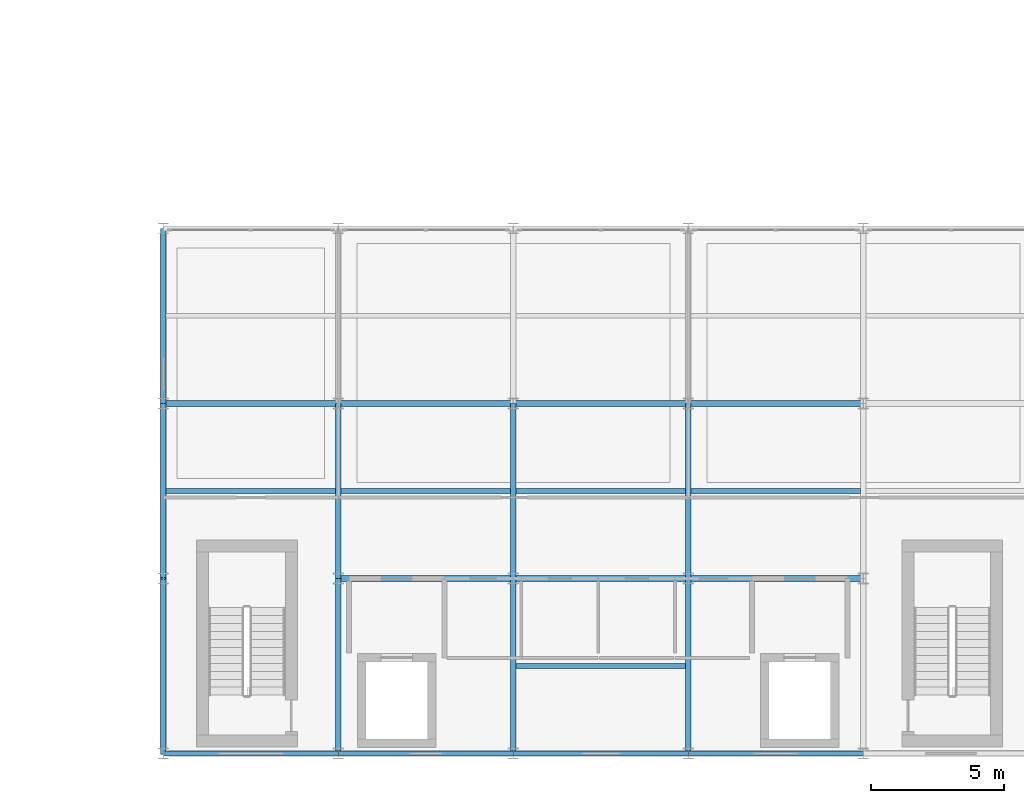
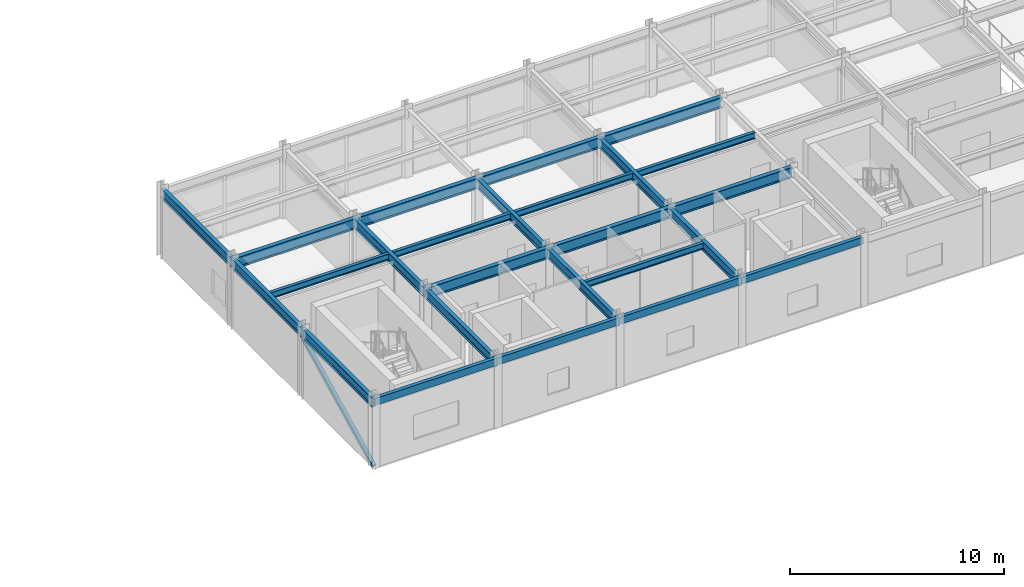
# One storey, part 54 of 147: 25 beams, 1 member.
"""IFC4 building model written with IfcOpenShell, lengths in metres."""

from ifc_helpers import new_model, si_unit, direction, frame, origin, origin_2d, place, context, subcontext, project, spatial, hollow_rectangle, i_section, extrude, material, material_profile, profile_set, type_object, element, save


model = new_model("IFC4")

# Units and contexts
model_context = context("Model", 3, precision=1e-05, world=origin(), true_north=direction((0.0, 1.0)))
body_context = subcontext(model_context, "Body", "Model", "MODEL_VIEW")
ifc_project = project(units=[si_unit("LENGTHUNIT", "METRE"), si_unit("AREAUNIT", "SQUARE_METRE"), si_unit("VOLUMEUNIT", "CUBIC_METRE"), si_unit("PLANEANGLEUNIT", "RADIAN"), si_unit("MASSUNIT", "GRAM", prefix="KILO")], contexts=[model_context])

# Site, building, storey
site_placement = place(None, origin())
site = spatial("IfcSite", under=ifc_project, at=site_placement, CompositionType="ELEMENT")
building_placement = place(site_placement, origin())
building = spatial("IfcBuilding", under=site, at=building_placement, Name="Karori Crest Natural Sciences Institute", CompositionType="ELEMENT")
storey_placement = place(building_placement, frame((0.0, 0.0, 9.10009765625)))
storey = spatial("IfcBuildingStorey", under=building, at=storey_placement, Name="L02", CompositionType="ELEMENT", Elevation=9.10009765625)

# Beams
ifc_material_1 = material(Name="Structural steel AS/NZS 3679.1 Grade 350", Category="steel")
ifc_material_profile_1 = material_profile(ifc_material_1, i_section(OverallWidth=0.22900390625, OverallDepth=0.612060546875, WebThickness=0.011962890625, FlangeThickness=0.01953125, FilletRadius=0.013916015625, at=origin_2d()), Name="610UB125")
ifc_profile_set_1 = profile_set([ifc_material_profile_1], Name="Structural steel AS/NZS 3679.1 Grade 350")
beam_type_1 = type_object("IfcBeamType", Name="BT-04", PredefinedType="BEAM", material=ifc_profile_set_1)
beam_1_placement = place(storey_placement, frame((110.199951171875, 7.39990234375, 3.614013671875), z_axis=(1.0, 0.0, 0.0), x_axis=(0.0, 1.0, 0.0)))
element("IfcBeam", 1, at=beam_1_placement, inside=storey, type_object=beam_type_1, Name="Beam B-2204", PredefinedType="BEAM", context=body_context, shape_type="SweptSolid", body=[
    extrude(i_section(OverallWidth=0.22900390625, OverallDepth=0.612060546875, WebThickness=0.011962890625, FlangeThickness=0.01953125, FilletRadius=0.013916015625, at=origin_2d()), origin(), (0.0, 0.0, 1.0), 6.60009765625),
])
beam_2_placement = place(storey_placement, frame((116.800048828125, 7.39990234375, 3.614013671875), z_axis=(1.0, 0.0, 0.0), x_axis=(0.0, 1.0, 0.0)))
element("IfcBeam", 2, at=beam_2_placement, inside=storey, type_object=beam_type_1, Name="Beam B-2205", PredefinedType="BEAM", context=body_context, shape_type="SweptSolid", body=[
    extrude(i_section(OverallWidth=0.22900390625, OverallDepth=0.612060546875, WebThickness=0.011962890625, FlangeThickness=0.01953125, FilletRadius=0.013916015625, at=origin_2d()), origin(), (0.0, 0.0, 1.0), 6.599853515625),
])
beam_3_placement = place(storey_placement, frame((123.39990234375, 7.39990234375, 3.614013671875), z_axis=(1.0, 0.0, 0.0), x_axis=(0.0, 1.0, 0.0)))
element("IfcBeam", 3, at=beam_3_placement, inside=storey, type_object=beam_type_1, Name="Beam B-2206", PredefinedType="BEAM", context=body_context, shape_type="SweptSolid", body=[
    extrude(i_section(OverallWidth=0.22900390625, OverallDepth=0.612060546875, WebThickness=0.011962890625, FlangeThickness=0.01953125, FilletRadius=0.013916015625, at=origin_2d()), origin(), (0.0, 0.0, 1.0), 6.60009765625),
])
beam_4_placement = place(storey_placement, frame((103.60009765625, 14.0, 3.614013671875), z_axis=(1.0, 0.0, 0.0), x_axis=(0.0, 1.0, 0.0)))
element("IfcBeam", 4, at=beam_4_placement, inside=storey, type_object=beam_type_1, Name="Beam B-2211", PredefinedType="BEAM", context=body_context, shape_type="SweptSolid", body=[
    extrude(i_section(OverallWidth=0.22900390625, OverallDepth=0.612060546875, WebThickness=0.011962890625, FlangeThickness=0.01953125, FilletRadius=0.013916015625, at=origin_2d()), origin(), (0.0, 0.0, 1.0), 6.599853515625),
])
beam_5_placement = place(storey_placement, frame((110.199951171875, 14.0, 3.614013671875), z_axis=(1.0, 0.0, 0.0), x_axis=(0.0, 1.0, 0.0)))
element("IfcBeam", 5, at=beam_5_placement, inside=storey, type_object=beam_type_1, Name="Beam B-2212", PredefinedType="BEAM", context=body_context, shape_type="SweptSolid", body=[
    extrude(i_section(OverallWidth=0.22900390625, OverallDepth=0.612060546875, WebThickness=0.011962890625, FlangeThickness=0.01953125, FilletRadius=0.013916015625, at=origin_2d()), origin(), (0.0, 0.0, 1.0), 6.60009765625),
])
beam_6_placement = place(storey_placement, frame((116.800048828125, 14.0, 3.614013671875), z_axis=(1.0, 0.0, 0.0), x_axis=(0.0, 1.0, 0.0)))
element("IfcBeam", 6, at=beam_6_placement, inside=storey, type_object=beam_type_1, Name="Beam B-2213", PredefinedType="BEAM", context=body_context, shape_type="SweptSolid", body=[
    extrude(i_section(OverallWidth=0.22900390625, OverallDepth=0.612060546875, WebThickness=0.011962890625, FlangeThickness=0.01953125, FilletRadius=0.013916015625, at=origin_2d()), origin(), (0.0, 0.0, 1.0), 6.599853515625),
])
beam_7_placement = place(storey_placement, frame((123.39990234375, 14.0, 3.614013671875), z_axis=(1.0, 0.0, 0.0), x_axis=(0.0, 1.0, 0.0)))
element("IfcBeam", 7, at=beam_7_placement, inside=storey, type_object=beam_type_1, Name="Beam B-2214", PredefinedType="BEAM", context=body_context, shape_type="SweptSolid", body=[
    extrude(i_section(OverallWidth=0.22900390625, OverallDepth=0.612060546875, WebThickness=0.011962890625, FlangeThickness=0.01953125, FilletRadius=0.013916015625, at=origin_2d()), origin(), (0.0, 0.0, 1.0), 6.60009765625),
])
ifc_material_profile_2 = material_profile(ifc_material_1, i_section(OverallWidth=0.208984375, OverallDepth=0.532958984375, WebThickness=0.01025390625, FlangeThickness=0.015625, FilletRadius=0.013916015625, at=origin_2d()), Name="530UB92.4")
ifc_profile_set_2 = profile_set([ifc_material_profile_2], Name="Structural steel AS/NZS 3679.1 Grade 350")
beam_type_2 = type_object("IfcBeamType", Name="BT-05", PredefinedType="BEAM", material=ifc_profile_set_2)
beam_8_placement = place(storey_placement, frame((110.199951171875, 0.800048828125, 3.6533203125), z_axis=(0.0, 1.0, 0.0), x_axis=(-1.0, 0.0, 0.0)))
element("IfcBeam", 8, at=beam_8_placement, inside=storey, type_object=beam_type_2, Name="Beam B-2232", PredefinedType="BEAM", context=body_context, shape_type="SweptSolid", body=[
    extrude(i_section(OverallWidth=0.208984375, OverallDepth=0.532958984375, WebThickness=0.01025390625, FlangeThickness=0.015625, FilletRadius=0.013916015625, at=origin_2d()), origin(), (0.0, 0.0, 1.0), 6.599853515625),
])
beam_9_placement = place(storey_placement, frame((110.199951171875, 7.39990234375, 3.6533203125), z_axis=(0.0, 1.0, 0.0), x_axis=(-1.0, 0.0, 0.0)))
element("IfcBeam", 9, at=beam_9_placement, inside=storey, type_object=beam_type_2, Name="Beam B-2233", PredefinedType="BEAM", context=body_context, shape_type="SweptSolid", body=[
    extrude(i_section(OverallWidth=0.208984375, OverallDepth=0.532958984375, WebThickness=0.01025390625, FlangeThickness=0.015625, FilletRadius=0.013916015625, at=origin_2d()), origin(), (0.0, 0.0, 1.0), 6.60009765625),
])
beam_10_placement = place(storey_placement, frame((116.800048828125, 0.800048828125, 3.6533203125), z_axis=(0.0, 1.0, 0.0), x_axis=(-1.0, 0.0, 0.0)))
element("IfcBeam", 10, at=beam_10_placement, inside=storey, type_object=beam_type_2, Name="Beam B-2235", PredefinedType="BEAM", context=body_context, shape_type="SweptSolid", body=[
    extrude(i_section(OverallWidth=0.208984375, OverallDepth=0.532958984375, WebThickness=0.01025390625, FlangeThickness=0.015625, FilletRadius=0.013916015625, at=origin_2d()), origin(), (0.0, 0.0, 1.0), 6.599853515625),
])
beam_11_placement = place(storey_placement, frame((116.800048828125, 7.39990234375, 3.6533203125), z_axis=(0.0, 1.0, 0.0), x_axis=(-1.0, 0.0, 0.0)))
element("IfcBeam", 11, at=beam_11_placement, inside=storey, type_object=beam_type_2, Name="Beam B-2236", PredefinedType="BEAM", context=body_context, shape_type="SweptSolid", body=[
    extrude(i_section(OverallWidth=0.208984375, OverallDepth=0.532958984375, WebThickness=0.01025390625, FlangeThickness=0.015625, FilletRadius=0.013916015625, at=origin_2d()), origin(), (0.0, 0.0, 1.0), 6.60009765625),
])
beam_12_placement = place(storey_placement, frame((123.39990234375, 0.800048828125, 3.6533203125), z_axis=(0.0, 1.0, 0.0), x_axis=(-1.0, 0.0, 0.0)))
element("IfcBeam", 12, at=beam_12_placement, inside=storey, type_object=beam_type_2, Name="Beam B-2238", PredefinedType="BEAM", context=body_context, shape_type="SweptSolid", body=[
    extrude(i_section(OverallWidth=0.208984375, OverallDepth=0.532958984375, WebThickness=0.01025390625, FlangeThickness=0.015625, FilletRadius=0.013916015625, at=origin_2d()), origin(), (0.0, 0.0, 1.0), 6.599853515625),
])
beam_13_placement = place(storey_placement, frame((123.39990234375, 7.39990234375, 3.6533203125), z_axis=(0.0, 1.0, 0.0), x_axis=(-1.0, 0.0, 0.0)))
element("IfcBeam", 13, at=beam_13_placement, inside=storey, type_object=beam_type_2, Name="Beam B-2239", PredefinedType="BEAM", context=body_context, shape_type="SweptSolid", body=[
    extrude(i_section(OverallWidth=0.208984375, OverallDepth=0.532958984375, WebThickness=0.01025390625, FlangeThickness=0.015625, FilletRadius=0.013916015625, at=origin_2d()), origin(), (0.0, 0.0, 1.0), 6.60009765625),
])
ifc_material_profile_3 = material_profile(ifc_material_1, i_section(OverallWidth=0.208984375, OverallDepth=0.532958984375, WebThickness=0.01025390625, FlangeThickness=0.015625, FilletRadius=0.013916015625, at=origin_2d()), Name="530UB92.4")
ifc_profile_set_3 = profile_set([ifc_material_profile_3], Name="Structural steel AS/NZS 3679.1 Grade 350")
beam_type_3 = type_object("IfcBeamType", Name="BT-05-EL", PredefinedType="BEAM", material=ifc_profile_set_3)
beam_14_placement = place(storey_placement, frame((103.60009765625, 0.800048828125, 3.6533203125), z_axis=(0.0, 1.0, 0.0), x_axis=(-1.0, 0.0, 0.0)))
element("IfcBeam", 14, at=beam_14_placement, inside=storey, type_object=beam_type_3, Name="Beam B-2229", PredefinedType="BEAM", context=body_context, shape_type="SweptSolid", body=[
    extrude(i_section(OverallWidth=0.208984375, OverallDepth=0.532958984375, WebThickness=0.01025390625, FlangeThickness=0.015625, FilletRadius=0.013916015625, at=origin_2d()), origin(), (0.0, 0.0, 1.0), 6.599853515625),
])
for number, where, z_axis, x_axis, name in (
    (15, (103.60009765625, 7.39990234375, 3.6533203125), (0.0, 1.0, 0.0), (-1.0, 0.0, 0.0), "Beam B-2230"),
    (16, (103.60009765625, 14.0, 3.6533203125), (0.0, 1.0, 0.0), (-1.0, 0.0, 0.0), "Beam B-2231"),
):
    element("IfcBeam", number, at=place(storey_placement, frame(where, z_axis=z_axis, x_axis=x_axis)), inside=storey, type_object=beam_type_3, Name=name, PredefinedType="BEAM", context=body_context, shape_type="SweptSolid", body=[
        extrude(i_section(OverallWidth=0.208984375, OverallDepth=0.532958984375, WebThickness=0.01025390625, FlangeThickness=0.015625, FilletRadius=0.013916015625, at=origin_2d()), origin(), (0.0, 0.0, 1.0), 6.60009765625),
    ])
ifc_material_profile_4 = material_profile(ifc_material_1, i_section(OverallWidth=0.172119140625, OverallDepth=0.35888671875, WebThickness=0.008056640625, FlangeThickness=0.012939453125, FilletRadius=0.010986328125, at=origin_2d()), Name="360UB56.7")
ifc_profile_set_4 = profile_set([ifc_material_profile_4], Name="Structural steel AS/NZS 3679.1 Grade 350")
beam_type_4 = type_object("IfcBeamType", Name="BT-08", PredefinedType="BEAM", material=ifc_profile_set_4)
beam_15_placement = place(storey_placement, frame((103.70458984375, 10.699951171875, 3.740478515625), z_axis=(1.0, 0.0, 0.0), x_axis=(0.0, 1.0, 0.0)))
element("IfcBeam", 17, at=beam_15_placement, inside=storey, type_object=beam_type_4, Name="Beam B-2259", PredefinedType="BEAM", context=body_context, shape_type="SweptSolid", body=[
    extrude(i_section(OverallWidth=0.172119140625, OverallDepth=0.35888671875, WebThickness=0.008056640625, FlangeThickness=0.012939453125, FilletRadius=0.010986328125, at=origin_2d()), origin(), (0.0, 0.0, 1.0), 6.390869140625),
])
beam_16_placement = place(storey_placement, frame((110.304443359375, 10.699951171875, 3.740478515625), z_axis=(1.0, 0.0, 0.0), x_axis=(0.0, 1.0, 0.0)))
element("IfcBeam", 18, at=beam_16_placement, inside=storey, type_object=beam_type_4, Name="Beam B-2261", PredefinedType="BEAM", context=body_context, shape_type="SweptSolid", body=[
    extrude(i_section(OverallWidth=0.172119140625, OverallDepth=0.35888671875, WebThickness=0.008056640625, FlangeThickness=0.012939453125, FilletRadius=0.010986328125, at=origin_2d()), origin(), (0.0, 0.0, 1.0), 6.39111328125),
])
for number, where, z_axis, x_axis, name in (
    (19, (116.904541015625, 4.10009765625, 3.740478515625), (1.0, 0.0, 0.0), (0.0, 1.0, 0.0), "Beam B-2263"),
    (20, (116.904541015625, 10.699951171875, 3.740478515625), (1.0, 0.0, 0.0), (0.0, 1.0, 0.0), "Beam B-2264"),
):
    element("IfcBeam", number, at=place(storey_placement, frame(where, z_axis=z_axis, x_axis=x_axis)), inside=storey, type_object=beam_type_4, Name=name, PredefinedType="BEAM", context=body_context, shape_type="SweptSolid", body=[
        extrude(i_section(OverallWidth=0.172119140625, OverallDepth=0.35888671875, WebThickness=0.008056640625, FlangeThickness=0.012939453125, FilletRadius=0.010986328125, at=origin_2d()), origin(), (0.0, 0.0, 1.0), 6.390869140625),
    ])
beam_17_placement = place(storey_placement, frame((123.50439453125, 10.699951171875, 3.740478515625), z_axis=(1.0, 0.0, 0.0), x_axis=(0.0, 1.0, 0.0)))
element("IfcBeam", 21, at=beam_17_placement, inside=storey, type_object=beam_type_4, Name="Beam B-2266", PredefinedType="BEAM", context=body_context, shape_type="SweptSolid", body=[
    extrude(i_section(OverallWidth=0.172119140625, OverallDepth=0.35888671875, WebThickness=0.008056640625, FlangeThickness=0.012939453125, FilletRadius=0.010986328125, at=origin_2d()), origin(), (0.0, 0.0, 1.0), 6.39111328125),
])
ifc_material_2 = material(Name="Hollow structural steel AS/NZS 1163 Grade C350", Category="steel")
ifc_material_profile_5 = material_profile(ifc_material_2, hollow_rectangle(XDim=0.199951171875, YDim=0.39990234375, WallThickness=0.012451171875, at=origin_2d()), Name="RHS400x200x12.5")
ifc_profile_set_5 = profile_set([ifc_material_profile_5], Name="Hollow structural steel AS/NZS 1163 Grade C350")
beam_type_5 = type_object("IfcBeamType", Name="BT-14", PredefinedType="SPANDREL", material=ifc_profile_set_5)
beam_18_placement = place(storey_placement, frame((103.60009765625, 0.800048828125, 3.719970703125), z_axis=(1.0, 0.0, 0.0), x_axis=(0.0, 1.0, 0.0)))
element("IfcBeam", 22, at=beam_18_placement, inside=storey, type_object=beam_type_5, Name="Beam B-2195", PredefinedType="SPANDREL", context=body_context, shape_type="SweptSolid", body=[
    extrude(hollow_rectangle(XDim=0.199951171875, YDim=0.39990234375, WallThickness=0.012451171875, at=origin_2d()), origin(), (0.0, 0.0, 1.0), 6.599853515625),
])
beam_19_placement = place(storey_placement, frame((110.199951171875, 0.800048828125, 3.719970703125), z_axis=(1.0, 0.0, 0.0), x_axis=(0.0, 1.0, 0.0)))
element("IfcBeam", 23, at=beam_19_placement, inside=storey, type_object=beam_type_5, Name="Beam B-2196", PredefinedType="SPANDREL", context=body_context, shape_type="SweptSolid", body=[
    extrude(hollow_rectangle(XDim=0.199951171875, YDim=0.39990234375, WallThickness=0.012451171875, at=origin_2d()), origin(), (0.0, 0.0, 1.0), 6.60009765625),
])
beam_20_placement = place(storey_placement, frame((116.800048828125, 0.800048828125, 3.719970703125), z_axis=(1.0, 0.0, 0.0), x_axis=(0.0, 1.0, 0.0)))
element("IfcBeam", 24, at=beam_20_placement, inside=storey, type_object=beam_type_5, Name="Beam B-2197", PredefinedType="SPANDREL", context=body_context, shape_type="SweptSolid", body=[
    extrude(hollow_rectangle(XDim=0.199951171875, YDim=0.39990234375, WallThickness=0.012451171875, at=origin_2d()), origin(), (0.0, 0.0, 1.0), 6.599853515625),
])
beam_21_placement = place(storey_placement, frame((123.39990234375, 0.800048828125, 3.719970703125), z_axis=(1.0, 0.0, 0.0), x_axis=(0.0, 1.0, 0.0)))
element("IfcBeam", 25, at=beam_21_placement, inside=storey, type_object=beam_type_5, Name="Beam B-2198", PredefinedType="SPANDREL", context=body_context, shape_type="SweptSolid", body=[
    extrude(hollow_rectangle(XDim=0.199951171875, YDim=0.39990234375, WallThickness=0.012451171875, at=origin_2d()), origin(), (0.0, 0.0, 1.0), 6.60009765625),
])

# Member
ifc_material_profile_6 = material_profile(ifc_material_2, hollow_rectangle(XDim=0.199951171875, YDim=0.199951171875, WallThickness=0.010009765625, at=origin_2d()), Name="SHS200x200x10")
ifc_profile_set_6 = profile_set([ifc_material_profile_6], Name="Hollow structural steel AS/NZS 1163 Grade C350")
member_type = type_object("IfcMemberType", Name="MT-04", PredefinedType="BRACE", material=ifc_profile_set_6)
member_placement = place(storey_placement, frame((103.60009765625, 0.800048828125, 0.010009765625), z_axis=(0.0, 0.893996860232, 0.448073223811), x_axis=(-1.0, 0.0, 0.0)))
element("IfcMember", 26, at=member_placement, inside=storey, type_object=member_type, Name="Diagonal Brace M-0443", PredefinedType="BRACE", context=body_context, shape_type="SweptSolid", body=[
    extrude(hollow_rectangle(XDim=0.199951171875, YDim=0.199951171875, WallThickness=0.010009765625, at=origin_2d()), origin(), (0.0, 0.0, 1.0), 7.38232421875),
])

save(model, "model.ifc")
